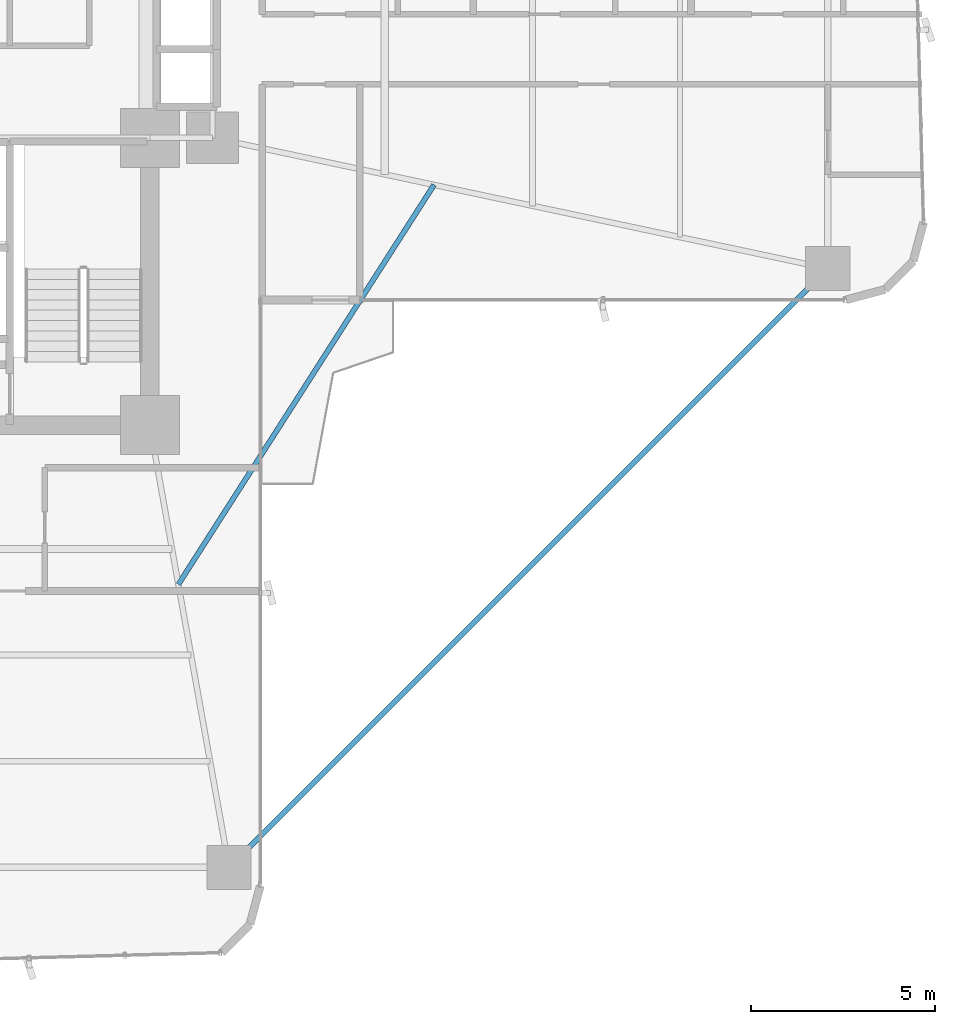
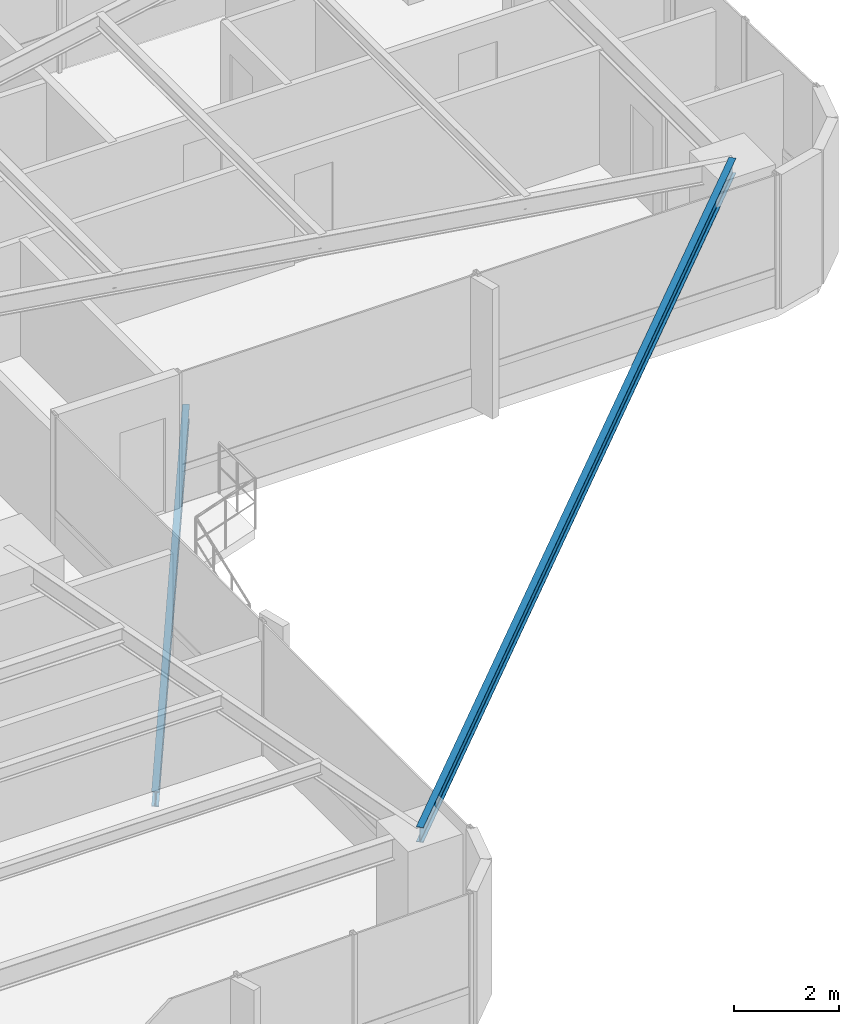
# One storey, part 13 of 26: 2 beams.
"""IFC4 building model written with IfcOpenShell, lengths in metres."""

from ifc_helpers import new_model, si_unit, direction, frame, origin, origin_2d, place, context, subcontext, project, spatial, i_section, extrude, source, transform, mapped, material, material_profile, profile_set, type_object, element, save


model = new_model("IFC4")

# Units and contexts
model_context = context("Model", 3, precision=1e-05, world=origin(), true_north=direction((0.0, 1.0)))
body_context = subcontext(model_context, "Body", "Model", "MODEL_VIEW")
ifc_project = project(units=[si_unit("LENGTHUNIT", "METRE"), si_unit("AREAUNIT", "SQUARE_METRE"), si_unit("VOLUMEUNIT", "CUBIC_METRE"), si_unit("PLANEANGLEUNIT", "RADIAN"), si_unit("MASSUNIT", "GRAM", prefix="KILO")], contexts=[model_context])

# Site, building, storey
site_placement = place(None, origin())
site = spatial("IfcSite", under=ifc_project, at=site_placement, CompositionType="ELEMENT")
building_placement = place(site_placement, origin())
building = spatial("IfcBuilding", under=site, at=building_placement, Name="Sahyath Konkavel Grand Hotel", CompositionType="ELEMENT")
storey_placement = place(building_placement, frame((0.0, 0.0, 51.050048828125)))
storey = spatial("IfcBuildingStorey", under=building, at=storey_placement, Name="L13", CompositionType="ELEMENT", Elevation=51.050048828125)

# Beams
ifc_material = material(Name="Steel E350", Category="steel")
ifc_material_profile_1 = material_profile(ifc_material, i_section(OverallWidth=0.139892578125, OverallDepth=0.35009765625, WebThickness=0.008056640625, FlangeThickness=0.01416015625, FilletRadius=0.013916015625, at=origin_2d()), Name="ISMB 350")
ifc_profile_set_1 = profile_set([ifc_material_profile_1], Name="Steel E350")
beam_type_1 = type_object("IfcBeamType", Name="BM-ISMB350", PredefinedType="BEAM", material=ifc_profile_set_1)
shared_shape_1 = source(origin(), body_context, "Body", "SweptSolid", [
    extrude(i_section(OverallWidth=0.139892578125, OverallDepth=0.35009765625, WebThickness=0.008056640625, FlangeThickness=0.01416015625, FilletRadius=0.013916015625, at=origin_2d()), origin(), (0.0, 0.0, 1.0), 22.98095703125),
])
beam_1_placement = place(storey_placement, frame((22.199951171875, -5.949951171875, 2.93505859375), z_axis=(-0.707106781187, -0.707106781187, 0.0), x_axis=(0.707106781187, -0.707106781187, 0.0)))
element("IfcBeam", 1, at=beam_1_placement, inside=storey, type_object=beam_type_1, Name="L13 Re-Entrant Tie Beam SE", PredefinedType="BEAM", context=body_context, shape_type="MappedRepresentation", body=[
    mapped(shared_shape_1, transform((0.0, 0.0, 0.0), scale=1.0)),
])
ifc_material_profile_2 = material_profile(ifc_material, i_section(OverallWidth=0.139892578125, OverallDepth=0.35009765625, WebThickness=0.008056640625, FlangeThickness=0.01416015625, FilletRadius=0.013916015625, at=origin_2d()), Name="ISMB 350")
ifc_profile_set_2 = profile_set([ifc_material_profile_2], Name="Steel E350")
beam_type_2 = type_object("IfcBeamType", Name="BM-BALC-CANT", PredefinedType="BEAM", material=ifc_profile_set_2)
shared_shape_2 = source(origin(), body_context, "Body", "SweptSolid", [
    extrude(i_section(OverallWidth=0.139892578125, OverallDepth=0.35009765625, WebThickness=0.008056640625, FlangeThickness=0.01416015625, FilletRadius=0.013916015625, at=origin_2d()), origin(), (0.0, 0.0, 1.0), 12.871826171875),
])
beam_2_placement = place(storey_placement, frame((4.573974609375, -14.52001953125, -0.4150390625), z_axis=(0.539003102535, 0.842303778608, 0.0), x_axis=(-0.842303778608, 0.539003102535, 0.0)))
element("IfcBeam", 2, at=beam_2_placement, inside=storey, type_object=beam_type_2, Name="L13 Balcony Cantilever Support Beam SE", PredefinedType="BEAM", context=body_context, shape_type="MappedRepresentation", body=[
    mapped(shared_shape_2, transform((0.0, 0.0, 0.0), scale=1.0)),
])

save(model, "model.ifc")
